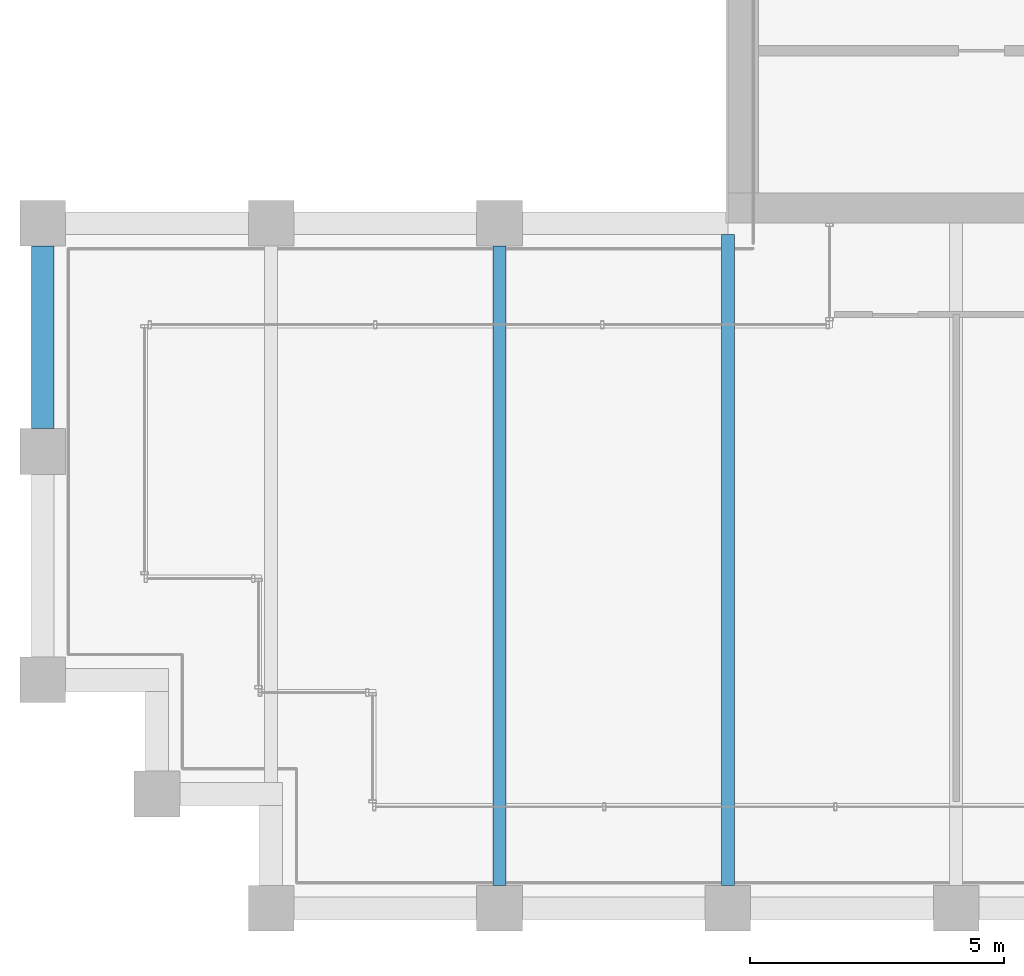
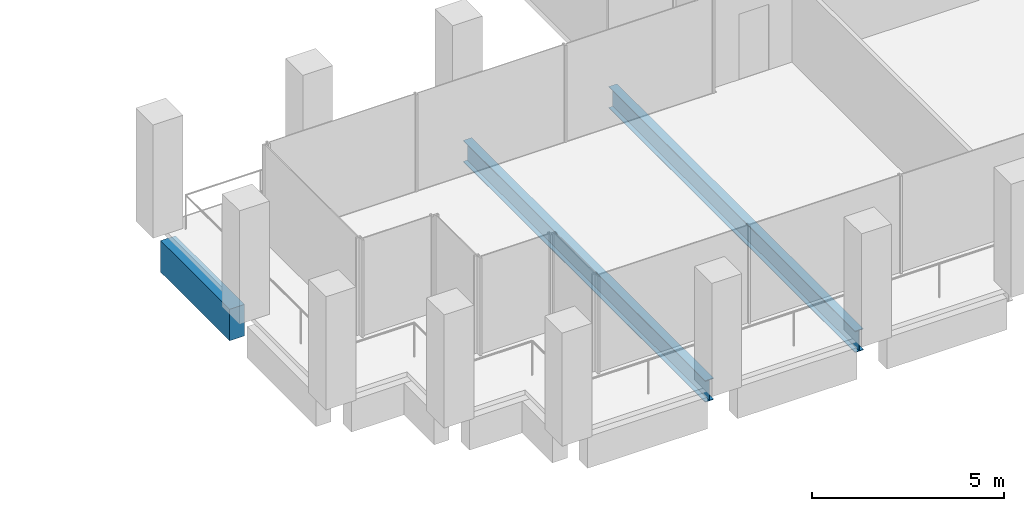
# One storey, part 4 of 40: 3 beams.
"""IFC4 building model written with IfcOpenShell, lengths in metres."""

from ifc_helpers import new_model, si_unit, direction, frame, origin, origin_2d, place, context, subcontext, project, spatial, rectangle, i_section, extrude, material, material_profile, profile_set, type_object, element, save


model = new_model("IFC4")

# Units and contexts
model_context = context("Model", 3, precision=1e-05, world=origin(), true_north=direction((0.0, 1.0)))
body_context = subcontext(model_context, "Body", "Model", "MODEL_VIEW")
ifc_project = project(units=[si_unit("LENGTHUNIT", "METRE"), si_unit("AREAUNIT", "SQUARE_METRE"), si_unit("VOLUMEUNIT", "CUBIC_METRE"), si_unit("PLANEANGLEUNIT", "RADIAN"), si_unit("MASSUNIT", "GRAM", prefix="KILO")], contexts=[model_context])

# Site, building, storey
site_placement = place(None, origin())
site = spatial("IfcSite", under=ifc_project, at=site_placement, CompositionType="ELEMENT")
building_placement = place(site_placement, origin())
building = spatial("IfcBuilding", under=site, at=building_placement, Name="Altepetl Exchange Towers", CompositionType="ELEMENT")
storey_placement = place(building_placement, frame((0.0, 0.0, 151.0)))
storey = spatial("IfcBuildingStorey", under=building, at=storey_placement, Name="L37", CompositionType="ELEMENT", Elevation=151.0)

# Beams
ifc_material_1 = material(Name="Steel S355", Category="steel")
ifc_material_profile_1 = material_profile(ifc_material_1, i_section(OverallWidth=0.25390625, OverallDepth=0.68408203125, WebThickness=0.012451171875, FlangeThickness=0.018798828125, at=origin_2d()), Name="W27X94")
ifc_profile_set_1 = profile_set([ifc_material_profile_1], Name="Steel S355")
beam_type_1 = type_object("IfcBeamType", Name="Floor beam W27X94", PredefinedType="BEAM", material=ifc_profile_set_1)
beam_1_placement = place(storey_placement, frame((36.0, 27.449951171875, -0.491943359375), z_axis=(0.0, 1.0, 0.0), x_axis=(-1.0, 0.0, 0.0)))
element("IfcBeam", 1, at=beam_1_placement, inside=storey, type_object=beam_type_1, Name="bm:A:L37:013", PredefinedType="BEAM", context=body_context, shape_type="SweptSolid", body=[
    extrude(i_section(OverallWidth=0.25390625, OverallDepth=0.68408203125, WebThickness=0.012451171875, FlangeThickness=0.018798828125, at=origin_2d()), origin(), (0.0, 0.0, 1.0), 12.60009765625),
])
beam_2_placement = place(storey_placement, frame((40.5, 27.449951171875, -0.491943359375), z_axis=(0.0, 1.0, 0.0), x_axis=(-1.0, 0.0, 0.0)))
element("IfcBeam", 2, at=beam_2_placement, inside=storey, type_object=beam_type_1, Name="bm:A:L37:014", PredefinedType="BEAM", context=body_context, shape_type="SweptSolid", body=[
    extrude(i_section(OverallWidth=0.25390625, OverallDepth=0.68408203125, WebThickness=0.012451171875, FlangeThickness=0.018798828125, at=origin_2d()), origin(), (0.0, 0.0, 1.0), 12.824951171875),
])
ifc_material_2 = material(Name="Concrete C50/60 precast with cantera blanca facing", Category="concrete")
ifc_material_profile_2 = material_profile(ifc_material_2, rectangle(XDim=0.449951171875, YDim=1.0, at=origin_2d()), Name="450 x 1000")
ifc_profile_set_2 = profile_set([ifc_material_profile_2], Name="Concrete C50/60 precast with cantera blanca facing")
beam_type_2 = type_object("IfcBeamType", Name="Spandrel beam 450x1000 cantera blanca", PredefinedType="SPANDREL", material=ifc_profile_set_2)
beam_3_placement = place(storey_placement, frame((27.0, 40.050048828125, -0.64990234375), z_axis=(0.0, -1.0, 0.0), x_axis=(1.0, 0.0, 0.0)))
element("IfcBeam", 3, at=beam_3_placement, inside=storey, type_object=beam_type_2, Name="sp:A:L37:036", PredefinedType="SPANDREL", context=body_context, shape_type="SweptSolid", body=[
    extrude(rectangle(XDim=0.449951171875, YDim=1.0, at=origin_2d()), origin(), (0.0, 0.0, 1.0), 3.60009765625),
])

save(model, "model.ifc")
